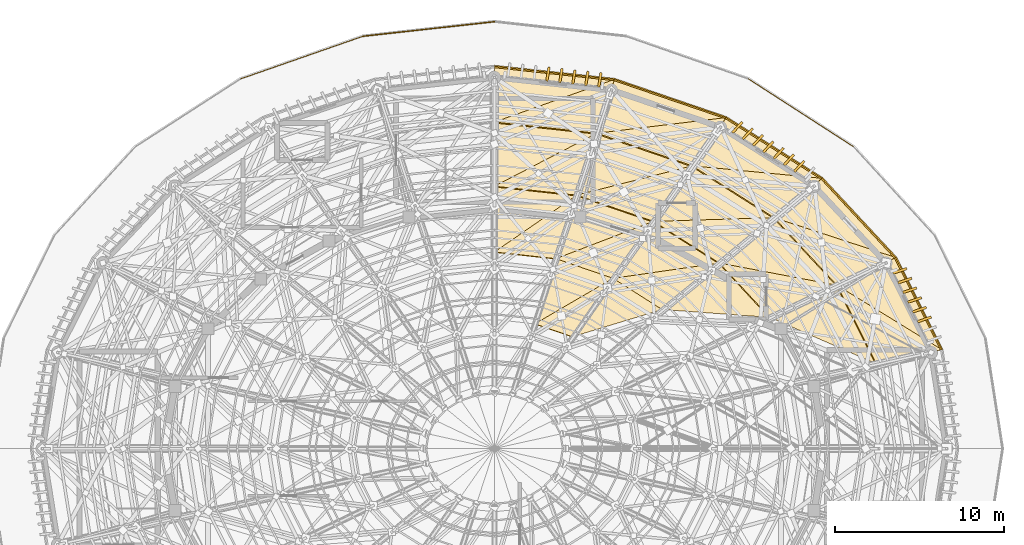
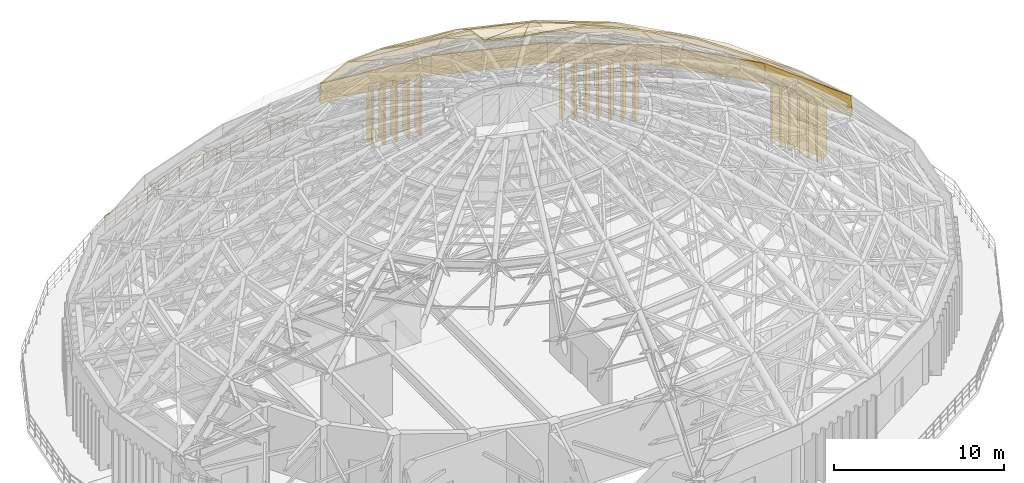
# One storey, part 49 of 50: 34 coverings, 18 shading devices, 3 railings, 3 elements without a shape of their own.
"""IFC4 building model written with IfcOpenShell, lengths in metres."""

from ifc_helpers import new_model, si_unit, direction, frame, origin, origin_2d, place, context, subcontext, project, spatial, polyline, rectangle, circle, outline, extrude, material, layer, layer_set, type_object, element, aggregate, save


model = new_model("IFC4")

# Units and contexts
model_context = context("Model", 3, precision=1e-05, world=origin(), true_north=direction((0.0, 1.0)))
body_context = subcontext(model_context, "Body", "Model", "MODEL_VIEW")
ifc_project = project(units=[si_unit("LENGTHUNIT", "METRE"), si_unit("AREAUNIT", "SQUARE_METRE"), si_unit("VOLUMEUNIT", "CUBIC_METRE"), si_unit("PLANEANGLEUNIT", "RADIAN"), si_unit("MASSUNIT", "GRAM", prefix="KILO")], contexts=[model_context])

# Site, building, storey
site_placement = place(None, origin())
site = spatial("IfcSite", under=ifc_project, at=site_placement, CompositionType="ELEMENT")
building_placement = place(site_placement, origin())
building = spatial("IfcBuilding", under=site, at=building_placement, Name="Cinderbank Siding Concert Hall", CompositionType="ELEMENT")
storey_placement = place(building_placement, frame((0.0, 0.0, 23.699951171875)))
storey = spatial("IfcBuildingStorey", under=building, at=storey_placement, Name="L06", CompositionType="ELEMENT", Elevation=23.699951171875)

# Railings
ifc_material_1 = material(Name="Structural steel AS/NZS 3679.1 Grade 350 (340 MPa)", Category="steel")
railing_type = type_object("IfcRailingType", Name="GD-01 Terrace & Perimeter Guardrail 1120mm", PredefinedType="GUARDRAIL", material=ifc_material_1)
railing_1_placement = place(storey_placement, frame((106.944091796875, 65.906494140625, 0.0)))
element("IfcRailing", 1, at=railing_1_placement, inside=storey, type_object=railing_type, Name="L06 Perimeter Guardrail #143", PredefinedType="GUARDRAIL", context=body_context, shape_type="SweptSolid", body=[
    extrude(circle(Radius=0.02392578125, at=origin_2d()), frame((0.0, 0.0, 1.09619140625), z_axis=(0.94433649483, 0.328981130965, 0.0), x_axis=(-0.328981130965, 0.94433649483, 0.0)), (0.0, 0.0, 1.0), 7.689697265625),
    extrude(circle(Radius=0.01611328125, at=origin_2d()), frame((0.0, 0.0, 0.36962890625), z_axis=(0.94433649483, 0.328981130965, 0.0), x_axis=(-0.328981130965, 0.94433649483, 0.0)), (0.0, 0.0, 1.0), 7.689697265625),
    extrude(circle(Radius=0.01611328125, at=origin_2d()), frame((0.0, 0.0, 0.7392578125), z_axis=(0.94433649483, 0.328981130965, 0.0), x_axis=(-0.328981130965, 0.94433649483, 0.0)), (0.0, 0.0, 1.0), 7.689697265625),
    extrude(circle(Radius=0.02099609375, at=origin_2d()), origin(), (0.0, 0.0, 1.0), 1.072021484375),
    extrude(circle(Radius=0.02099609375, at=origin_2d()), frame((0.90771484375, 0.316162109375, 0.0)), (0.0, 0.0, 1.0), 1.072021484375),
    extrude(circle(Radius=0.02099609375, at=origin_2d()), frame((1.8154296875, 0.63232421875, 0.0)), (0.0, 0.0, 1.0), 1.072021484375),
    extrude(circle(Radius=0.02099609375, at=origin_2d()), frame((2.72314453125, 0.94873046875, 0.0)), (0.0, 0.0, 1.0), 1.072021484375),
    extrude(circle(Radius=0.02099609375, at=origin_2d()), frame((3.630859375, 1.264892578125, 0.0)), (0.0, 0.0, 1.0), 1.072021484375),
    extrude(circle(Radius=0.02099609375, at=origin_2d()), frame((4.53857421875, 1.5810546875, 0.0)), (0.0, 0.0, 1.0), 1.072021484375),
    extrude(circle(Radius=0.02099609375, at=origin_2d()), frame((5.4462890625, 1.8974609375, 0.0)), (0.0, 0.0, 1.0), 1.072021484375),
    extrude(circle(Radius=0.02099609375, at=origin_2d()), frame((6.35400390625, 2.213623046875, 0.0)), (0.0, 0.0, 1.0), 1.072021484375),
    extrude(circle(Radius=0.02099609375, at=origin_2d()), frame((7.26171875, 2.52978515625, 0.0)), (0.0, 0.0, 1.0), 1.072021484375),
])
railing_2_placement = place(storey_placement, frame((114.205810546875, 68.436279296875, 0.0)))
element("IfcRailing", 2, at=railing_2_placement, inside=storey, type_object=railing_type, Name="L06 Perimeter Guardrail #144", PredefinedType="GUARDRAIL", context=body_context, shape_type="SweptSolid", body=[
    extrude(circle(Radius=0.02392578125, at=origin_2d()), frame((0.0, 0.0, 1.09619140625), z_axis=(0.993925427563, 0.110055642488, 0.0), x_axis=(-0.110055642488, 0.993925427563, 0.0)), (0.0, 0.0, 1.0), 7.841796875),
    extrude(circle(Radius=0.01611328125, at=origin_2d()), frame((0.0, 0.0, 0.36962890625), z_axis=(0.993925427563, 0.110055642488, 0.0), x_axis=(-0.110055642488, 0.993925427563, 0.0)), (0.0, 0.0, 1.0), 7.841796875),
    extrude(circle(Radius=0.01611328125, at=origin_2d()), frame((0.0, 0.0, 0.7392578125), z_axis=(0.993925427563, 0.110055642488, 0.0), x_axis=(-0.110055642488, 0.993925427563, 0.0)), (0.0, 0.0, 1.0), 7.841796875),
    extrude(circle(Radius=0.02099609375, at=origin_2d()), origin(), (0.0, 0.0, 1.0), 1.072021484375),
    extrude(circle(Radius=0.02099609375, at=origin_2d()), frame((0.974365234375, 0.10791015625, 0.0)), (0.0, 0.0, 1.0), 1.072021484375),
    extrude(circle(Radius=0.02099609375, at=origin_2d()), frame((1.948486328125, 0.2158203125, 0.0)), (0.0, 0.0, 1.0), 1.072021484375),
    extrude(circle(Radius=0.02099609375, at=origin_2d()), frame((2.9228515625, 0.32373046875, 0.0)), (0.0, 0.0, 1.0), 1.072021484375),
    extrude(circle(Radius=0.02099609375, at=origin_2d()), frame((3.89697265625, 0.431640625, 0.0)), (0.0, 0.0, 1.0), 1.072021484375),
    extrude(circle(Radius=0.02099609375, at=origin_2d()), frame((4.871337890625, 0.539306640625, 0.0)), (0.0, 0.0, 1.0), 1.072021484375),
    extrude(circle(Radius=0.02099609375, at=origin_2d()), frame((5.845703125, 0.647216796875, 0.0)), (0.0, 0.0, 1.0), 1.072021484375),
    extrude(circle(Radius=0.02099609375, at=origin_2d()), frame((6.81982421875, 0.755126953125, 0.0)), (0.0, 0.0, 1.0), 1.072021484375),
    extrude(circle(Radius=0.02099609375, at=origin_2d()), frame((7.794189453125, 0.863037109375, 0.0)), (0.0, 0.0, 1.0), 1.072021484375),
])
railing_3_placement = place(storey_placement, frame((137.055908203125, 65.906494140625, 0.0)))
element("IfcRailing", 3, at=railing_3_placement, inside=storey, type_object=railing_type, Name="L06 Perimeter Guardrail #147", PredefinedType="GUARDRAIL", context=body_context, shape_type="SweptSolid", body=[
    extrude(circle(Radius=0.02392578125, at=origin_2d()), frame((0.0, 0.0, 1.09619140625), z_axis=(0.840220235148, -0.54224529177, 0.0), x_axis=(0.54224529177, 0.840220235148, 0.0)), (0.0, 0.0, 1.0), 7.4189453125),
    extrude(circle(Radius=0.01611328125, at=origin_2d()), frame((0.0, 0.0, 0.36962890625), z_axis=(0.840220235148, -0.54224529177, 0.0), x_axis=(0.54224529177, 0.840220235148, 0.0)), (0.0, 0.0, 1.0), 7.4189453125),
    extrude(circle(Radius=0.01611328125, at=origin_2d()), frame((0.0, 0.0, 0.7392578125), z_axis=(0.840220235148, -0.54224529177, 0.0), x_axis=(0.54224529177, 0.840220235148, 0.0)), (0.0, 0.0, 1.0), 7.4189453125),
    extrude(circle(Radius=0.02099609375, at=origin_2d()), origin(), (0.0, 0.0, 1.0), 1.072021484375),
    extrude(circle(Radius=0.02099609375, at=origin_2d()), frame((0.779296875, -0.5029296875, 0.0)), (0.0, 0.0, 1.0), 1.072021484375),
    extrude(circle(Radius=0.02099609375, at=origin_2d()), frame((1.558349609375, -1.005859375, 0.0)), (0.0, 0.0, 1.0), 1.072021484375),
    extrude(circle(Radius=0.02099609375, at=origin_2d()), frame((2.337646484375, -1.508544921875, 0.0)), (0.0, 0.0, 1.0), 1.072021484375),
    extrude(circle(Radius=0.02099609375, at=origin_2d()), frame((3.11669921875, -2.011474609375, 0.0)), (0.0, 0.0, 1.0), 1.072021484375),
    extrude(circle(Radius=0.02099609375, at=origin_2d()), frame((3.89599609375, -2.514404296875, 0.0)), (0.0, 0.0, 1.0), 1.072021484375),
    extrude(circle(Radius=0.02099609375, at=origin_2d()), frame((4.67529296875, -3.01708984375, 0.0)), (0.0, 0.0, 1.0), 1.072021484375),
    extrude(circle(Radius=0.02099609375, at=origin_2d()), frame((5.454345703125, -3.52001953125, 0.0)), (0.0, 0.0, 1.0), 1.072021484375),
    extrude(circle(Radius=0.02099609375, at=origin_2d()), frame((6.233642578125, -4.02294921875, 0.0)), (0.0, 0.0, 1.0), 1.072021484375),
])

# Shading devices
ifc_material_2 = material(Name="Glazed architectural terracotta acoustic louvre unit", Category="masonry")
shading_device_type = type_object("IfcShadingDeviceType", Name="LV-02 Terracotta Louvre Blade 850x4050", PredefinedType="JALOUSIE", material=ifc_material_2)
for number, where, z_axis, x_axis, name in (
    (4, (147.486083984375, 51.6533203125, -0.27490234375), (0.0, 0.0, 1.0), (0.946765351164, 0.321924478466, 0.0), "L06 Terracotta Louvre Blade #204"),
    (5, (147.1953125, 52.2294921875, -0.27490234375), (0.0, 0.0, 1.0), (0.946765351164, 0.321924478466, 0.0), "L06 Terracotta Louvre Blade #205"),
    (6, (146.904541015625, 52.8056640625, -0.27490234375), (0.0, 0.0, 1.0), (0.946765351164, 0.321924478466, 0.0), "L06 Terracotta Louvre Blade #206"),
    (7, (146.61376953125, 53.3818359375, -0.27490234375), (0.0, 0.0, 1.0), (0.946765351164, 0.321924478466, 0.0), "L06 Terracotta Louvre Blade #207"),
    (8, (146.322998046875, 53.9580078125, -0.27490234375), (0.0, 0.0, 1.0), (0.946765351164, 0.321924478466, 0.0), "L06 Terracotta Louvre Blade #208"),
    (9, (146.0322265625, 54.5341796875, -0.27490234375), (0.0, 0.0, 1.0), (0.946765351164, 0.321924478466, 0.0), "L06 Terracotta Louvre Blade #209"),
    (10, (140.0654296875, 60.72900390625, -0.27490234375), (0.0, 0.0, 1.0), (0.682869257989, 0.730540605643, 0.0), "L06 Terracotta Louvre Blade #211"),
    (11, (139.4541015625, 61.114013671875, -0.27490234375), (0.0, 0.0, 1.0), (0.682869257989, 0.730540605643, 0.0), "L06 Terracotta Louvre Blade #212"),
    (12, (138.8427734375, 61.4990234375, -0.27490234375), (0.0, 0.0, 1.0), (0.682869257989, 0.730540605643, 0.0), "L06 Terracotta Louvre Blade #213"),
    (13, (138.2314453125, 61.88427734375, -0.27490234375), (0.0, 0.0, 1.0), (0.682869257989, 0.730540605643, 0.0), "L06 Terracotta Louvre Blade #214"),
    (14, (137.6201171875, 62.269287109375, -0.27490234375), (0.0, 0.0, 1.0), (0.682869257989, 0.730540605643, 0.0), "L06 Terracotta Louvre Blade #215"),
    (15, (137.0087890625, 62.654296875, -0.27490234375), (0.0, 0.0, 1.0), (0.682869257989, 0.730540605643, 0.0), "L06 Terracotta Louvre Blade #216"),
    (16, (136.397705078125, 63.039306640625, -0.27490234375), (0.0, 0.0, 1.0), (0.682869257989, 0.730540605643, 0.0), "L06 Terracotta Louvre Blade #217"),
    (17, (128.24755859375, 65.857177734375, -0.27490234375), (0.0, 0.0, 1.0), (0.158354123126, 0.987382383724, 0.0), "L06 Terracotta Louvre Blade #218"),
    (18, (127.477294921875, 65.9404296875, -0.27490234375), (0.0, 0.0, 1.0), (0.158354123126, 0.987382383724, 0.0), "L06 Terracotta Louvre Blade #219"),
    (19, (126.707275390625, 66.023681640625, -0.27490234375), (0.0, 0.0, 1.0), (0.158354123126, 0.987382383724, 0.0), "L06 Terracotta Louvre Blade #220"),
    (20, (125.937255859375, 66.10693359375, -0.27490234375), (0.0, 0.0, 1.0), (0.158354123126, 0.987382383724, 0.0), "L06 Terracotta Louvre Blade #221"),
    (21, (125.1669921875, 66.190185546875, -0.27490234375), (0.0, 0.0, 1.0), (0.158354123126, 0.987382383724, 0.0), "L06 Terracotta Louvre Blade #222"),
):
    element("IfcShadingDevice", number, at=place(storey_placement, frame(where, z_axis=z_axis, x_axis=x_axis)), inside=storey, type_object=shading_device_type, Name=name, PredefinedType="JALOUSIE", context=body_context, shape_type="SweptSolid", body=[
        extrude(rectangle(XDim=0.85009765625, YDim=0.139892578125, at=origin_2d()), origin(), (0.0, 0.0, 1.0), 4.090087890625),
    ])

# Roof, coverings
ifc_material_3 = material(Name="Patinated sheet copper roofing", Category="metal")
roof_type = type_object("IfcRoofType", Name="RF-DM1 Schwedler Dome Sector Roof", PredefinedType="DOME_ROOF", material=ifc_material_3)
roof_1_placement = place(storey_placement, origin())
roof_1 = element("IfcRoof", 22, at=roof_1_placement, inside=storey, type_object=roof_type, Name="Schwedler Dome Roof Bay 01", PredefinedType="DOME_ROOF")
ifc_layer = layer(ifc_material_3, 0.080078125)
ifc_layer_set = layer_set([ifc_layer], Name="Patinated sheet copper roofing")
covering_type = type_object("IfcCoveringType", Name="RC-01 Standing Seam Copper Roofing", PredefinedType="ROOFING", material=ifc_layer_set)
covering_1_placement = place(storey_placement, frame((148.582275390625, 49.88037109375, 3.449951171875), z_axis=(0.892879975107, 0.447973871764, 0.045659175078), x_axis=(-0.448441558349, 0.893812155179, -9.4826e-08)))
covering_1 = element("IfcCovering", 23, at=covering_1_placement, type_object=covering_type, Name="Dome Springing Copper Fascia B01-1", PredefinedType="ROOFING", context=body_context, shape_type="SweptSolid", body=[
    extrude(outline(polyline([(0.0, 0.0), (6.130740774306156, -1.3877787807814457e-17), (6.126358301169801, 1.5015666007519237), (0.014178620500370921, 1.501565438594786), (0.0, 0.0)])), origin(), (0.0, 0.0, -1.0), 0.080078125),
])
covering_2_placement = place(storey_placement, frame((148.5146484375, 49.8623046875, 4.949951171875), z_axis=(0.611585077076, 0.307008875339, 0.729183957559), x_axis=(-0.448634985963, 0.893715082881, 0.0)))
covering_2 = element("IfcCovering", 24, at=covering_2_placement, type_object=covering_type, Name="Dome Copper Facet B01-1-0-0", PredefinedType="ROOFING", context=body_context, shape_type="SweptSolid", body=[
    extrude(outline(polyline([(0.0, 0.0), (6.112290806106234, 2.220446049250313e-16), (6.191869733283395, 5.260856904197429), (0.0, 0.0)])), origin(), (0.0, 0.0, -1.0), 0.080078125),
])
covering_3_placement = place(storey_placement, frame((148.5146484375, 49.8623046875, 4.949951171875), z_axis=(0.61157580567, 0.306971639224, 0.729207409885), x_axis=(-0.763850768259, 0.469259960186, 0.44308813299)))
covering_3 = element("IfcCovering", 25, at=covering_3_placement, type_object=covering_type, Name="Dome Copper Facet B01-1-0-1", PredefinedType="ROOFING", context=body_context, shape_type="SweptSolid", body=[
    extrude(outline(polyline([(0.0, 0.0), (8.125014840626001, 0.0), (4.14563946944379, 3.3812469948426056), (0.0, 0.0)])), origin(), (0.0, 0.0, -1.0), 0.080078125),
])
covering_4_placement = place(storey_placement, frame((144.65087890625, 49.008056640625, 8.550048828125), z_axis=(0.52467153982, 0.263351298628, 0.809546705765), x_axis=(-0.448596954918, 0.893734173028, 0.0)))
covering_4 = element("IfcCovering", 26, at=covering_4_placement, type_object=covering_type, Name="Dome Copper Facet B01-1-1-0", PredefinedType="ROOFING", context=body_context, shape_type="SweptSolid", body=[
    extrude(outline(polyline([(0.0, 0.0), (5.221901912608443, 0.0), (5.310725995790247, 5.450849716967454), (0.0, 0.0)])), origin(), (0.0, 0.0, -1.0), 0.080078125),
])
aggregate(roof_1, [covering_1, covering_2, covering_3, covering_4])

roof_2_placement = place(storey_placement, origin())
roof_2 = element("IfcRoof", 27, at=roof_2_placement, inside=storey, type_object=roof_type, Name="Schwedler Dome Roof Bay 02", PredefinedType="DOME_ROOF")
covering_5_placement = place(storey_placement, frame((145.8330078125, 55.360107421875, 3.449951171875), z_axis=(0.731720505767, 0.680086197428, 0.045473789239), x_axis=(-0.68079045371, 0.732478230487, 1.4062e-08)))
covering_5 = element("IfcCovering", 28, at=covering_5_placement, type_object=covering_type, Name="Dome Springing Copper Fascia B02-0", PredefinedType="ROOFING", context=body_context, shape_type="SweptSolid", body=[
    extrude(outline(polyline([(0.0, 0.0), (6.423840901729181, 0.0), (6.420307234870011, 1.5015532181929938), (0.015468567804986698, 1.5015533987815566), (0.0, 0.0)])), origin(), (0.0, 0.0, -1.0), 0.080078125),
])
covering_6_placement = place(storey_placement, frame((145.7724609375, 55.324951171875, 4.949951171875), z_axis=(0.513510049053, 0.477512232968, 0.712944245286), x_axis=(-0.680972790653, 0.732308717953, 0.0)))
covering_6 = element("IfcCovering", 29, at=covering_6_placement, type_object=covering_type, Name="Dome Copper Facet B02-0-0-0", PredefinedType="ROOFING", context=body_context, shape_type="SweptSolid", body=[
    extrude(outline(polyline([(0.0, 0.0), (6.405989706752592, 0.0), (6.6231926006766235, 5.134043440855763), (0.0, 0.0)])), origin(), (0.0, 0.0, -1.0), 0.080078125),
])
covering_7_placement = place(storey_placement, frame((145.7724609375, 55.324951171875, 4.949951171875), z_axis=(0.513510097467, 0.477503388836, 0.712950133915), x_axis=(-0.858071467448, 0.281343026556, 0.429603838624)))
covering_7 = element("IfcCovering", 30, at=covering_7_placement, type_object=covering_type, Name="Dome Copper Facet B02-0-0-1", PredefinedType="ROOFING", context=body_context, shape_type="SweptSolid", body=[
    extrude(outline(polyline([(0.0, 0.0), (8.380040708627355, -4.440892098500626e-16), (4.054882344360714, 3.3527417654039806), (0.0, 0.0)])), origin(), (0.0, 0.0, -1.0), 0.080078125),
])
covering_8_placement = place(storey_placement, frame((142.308349609375, 53.675048828125, 8.550048828125), z_axis=(0.4430253953, 0.411960988965, 0.796251620212), x_axis=(-0.680965992364, 0.732315039613, 0.0)))
covering_8 = element("IfcCovering", 31, at=covering_8_placement, type_object=covering_type, Name="Dome Copper Facet B02-0-1-0", PredefinedType="ROOFING", context=body_context, shape_type="SweptSolid", body=[
    extrude(outline(polyline([(0.0, 0.0), (5.472464912767361, 0.0), (5.719694060785756, 5.289476391317351), (0.0, 0.0)])), origin(), (0.0, 0.0, -1.0), 0.080078125),
])
covering_9_placement = place(storey_placement, frame((142.308349609375, 53.675048828125, 8.550048828125), z_axis=(0.443021662991, 0.412058505526, 0.796203236708), x_axis=(-0.895854920114, 0.169506393217, 0.410745109243)))
covering_9 = element("IfcCovering", 32, at=covering_9_placement, type_object=covering_type, Name="Dome Copper Facet B02-0-1-1", PredefinedType="ROOFING", context=body_context, shape_type="SweptSolid", body=[
    extrude(outline(polyline([(0.0, 0.0), (7.790600788340491, 2.220446049250313e-16), (4.561043120100449, 2.98605726859041), (0.0, 0.0)])), origin(), (0.0, 0.0, -1.0), 0.080078125),
])
covering_10_placement = place(storey_placement, frame((138.32470703125, 51.77490234375, 11.75), z_axis=(0.385275074516, 0.358347874796, 0.850382218527), x_axis=(-0.681055500194, 0.732231797763, 0.0)))
covering_10 = element("IfcCovering", 33, at=covering_10_placement, type_object=covering_type, Name="Dome Copper Facet B02-0-2-0", PredefinedType="ROOFING", context=body_context, shape_type="SweptSolid", body=[
    extrude(outline(polyline([(0.0, 0.0), (4.398474820183659, 2.220446049250313e-16), (4.690814720491108, 5.131372962397389), (0.0, 0.0)])), origin(), (0.0, 0.0, -1.0), 0.080078125),
])
covering_11_placement = place(storey_placement, frame((141.459716796875, 60.0654296875, 3.449951171875), z_axis=(0.534573158266, 0.843899020914, 0.045453063279), x_axis=(-0.844772102528, 0.535126241919, -4.5668e-07)))
covering_11 = element("IfcCovering", 34, at=covering_11_placement, type_object=covering_type, Name="Dome Springing Copper Fascia B02-1", PredefinedType="ROOFING", context=body_context, shape_type="SweptSolid", body=[
    extrude(outline(polyline([(0.0, 0.0), (6.7470780022843915, 0.0), (6.742238085789674, 1.501554973002117), (0.01547617922386426, 1.501548813396729), (0.0, 0.0)])), origin(), (0.0, 0.0, -1.0), 0.080078125),
])
covering_12_placement = place(storey_placement, frame((141.41015625, 60.01611328125, 4.949951171875), z_axis=(0.384371855072, 0.607100523449, 0.695476262325), x_axis=(-0.844897790978, 0.534927773443, 0.0)))
covering_12 = element("IfcCovering", 35, at=covering_12_placement, type_object=covering_type, Name="Dome Copper Facet B02-1-0-0", PredefinedType="ROOFING", context=body_context, shape_type="SweptSolid", body=[
    extrude(outline(polyline([(0.0, 0.0), (6.728693878071593, 0.0), (6.889713943445266, 5.010232143751495), (0.0, 0.0)])), origin(), (0.0, 0.0, -1.0), 0.080078125),
])
covering_13_placement = place(storey_placement, frame((141.41015625, 60.01611328125, 4.949951171875), z_axis=(0.384373578996, 0.607093577369, 0.695481372926), x_axis=(-0.902125321331, 0.087037124369, 0.42260435823)))
covering_13 = element("IfcCovering", 36, at=covering_13_placement, type_object=covering_type, Name="Dome Copper Facet B02-1-0-1", PredefinedType="ROOFING", context=body_context, shape_type="SweptSolid", body=[
    extrude(outline(polyline([(0.0, 0.0), (8.51883703076804, 0.0), (3.8698595896869987, 3.3807936798672924), (0.0, 0.0)])), origin(), (0.0, 0.0, -1.0), 0.080078125),
])
covering_14_placement = place(storey_placement, frame((138.581787109375, 57.6826171875, 8.550048828125), z_axis=(0.333621593329, 0.526934049709, 0.781688646279), x_axis=(-0.844893940464, 0.534933855132, 0.0)))
covering_14 = element("IfcCovering", 37, at=covering_14_placement, type_object=covering_type, Name="Dome Copper Facet B02-1-1-0", PredefinedType="ROOFING", context=body_context, shape_type="SweptSolid", body=[
    extrude(outline(polyline([(0.0, 0.0), (5.748282974376876, 0.0), (5.93123521553537, 5.130849593778218), (0.0, 0.0)])), origin(), (0.0, 0.0, -1.0), 0.080078125),
])
covering_15_placement = place(storey_placement, frame((138.581787109375, 57.6826171875, 8.550048828125), z_axis=(0.333596442006, 0.527024373061, 0.781638486821), x_axis=(-0.912555587095, -0.027519244695, 0.408025724229)))
covering_15 = element("IfcCovering", 38, at=covering_15_placement, type_object=covering_type, Name="Dome Copper Facet B02-1-1-1", PredefinedType="ROOFING", context=body_context, shape_type="SweptSolid", body=[
    extrude(outline(polyline([(0.0, 0.0), (7.842523110324954, 2.220446049250313e-16), (4.347863296253905, 3.022543217726038), (0.0, 0.0)])), origin(), (0.0, 0.0, -1.0), 0.080078125),
])
covering_16_placement = place(storey_placement, frame((135.3291015625, 54.99560546875, 11.75), z_axis=(0.292276798895, 0.46174652155, 0.837475028084), x_axis=(-0.844953598456, 0.534839617508, 0.0)))
covering_16 = element("IfcCovering", 39, at=covering_16_placement, type_object=covering_type, Name="Dome Copper Facet B02-1-2-0", PredefinedType="ROOFING", context=body_context, shape_type="SweptSolid", body=[
    extrude(outline(polyline([(0.0, 0.0), (4.620434472980303, 0.0), (4.8419268358213055, 4.940661925667272), (0.0, 0.0)])), origin(), (0.0, 0.0, -1.0), 0.080078125),
])
covering_17_placement = place(storey_placement, frame((135.3291015625, 54.99560546875, 11.75), z_axis=(0.292786271009, 0.460203028374, 0.838146390664), x_axis=(-0.911316031806, -0.131040059875, 0.390296801013)))
covering_17 = element("IfcCovering", 40, at=covering_17_placement, type_object=covering_type, Name="Dome Copper Facet B02-1-2-1", PredefinedType="ROOFING", context=body_context, shape_type="SweptSolid", body=[
    extrude(outline(polyline([(0.0, 0.0), (6.917687167484864, 2.220446049250313e-16), (4.508434479724525, 2.4678876875915137), (0.0, 0.0)])), origin(), (0.0, 0.0, -1.0), 0.080078125),
])
covering_18_placement = place(storey_placement, frame((131.934814453125, 52.23779296875, 14.449951171875), z_axis=(0.230291065509, 0.361972729763, 0.903294950752), x_axis=(-0.843719778593, 0.536783881288, 0.0)))
covering_18 = element("IfcCovering", 41, at=covering_18_placement, type_object=covering_type, Name="Dome Copper Facet B02-1-3-0", PredefinedType="ROOFING", context=body_context, shape_type="SweptSolid", body=[
    extrude(outline(polyline([(0.0, 0.0), (3.4489082550926464, 2.220446049250313e-16), (3.614274205281867, 4.661786423217897), (0.0, 0.0)])), origin(), (0.0, 0.0, -1.0), 0.080078125),
])
aggregate(roof_2, [covering_5, covering_6, covering_7, covering_8, covering_9, covering_10, covering_11, covering_12, covering_13, covering_14, covering_15, covering_16, covering_17, covering_18])

roof_3_placement = place(storey_placement, origin())
roof_3 = element("IfcRoof", 42, at=roof_3_placement, inside=storey, type_object=roof_type, Name="Schwedler Dome Roof Bay 03", PredefinedType="DOME_ROOF")
covering_19_placement = place(storey_placement, frame((135.760009765625, 63.676025390625, 3.449951171875), z_axis=(0.323236704439, 0.945214042911, 0.045699518465), x_axis=(-0.946202602497, 0.323574775017, -2.25716e-07)))
covering_19 = element("IfcCovering", 43, at=covering_19_placement, type_object=covering_type, Name="Dome Springing Copper Fascia B03-0", PredefinedType="ROOFING", context=body_context, shape_type="SweptSolid", body=[
    extrude(outline(polyline([(0.0, 0.0), (7.014584627642678, 2.7755575615628914e-17), (7.007103313348043, 1.5015703754439902), (0.013442148718734925, 1.501567210247598), (0.0, 0.0)])), origin(), (0.0, 0.0, -1.0), 0.080078125),
])
covering_20_placement = place(storey_placement, frame((135.72509765625, 63.615478515625, 4.949951171875), z_axis=(0.236721826766, 0.692643774087, 0.681327659024), x_axis=(-0.94626237199, 0.323399943344, 0.0)))
covering_20 = element("IfcCovering", 44, at=covering_20_placement, type_object=covering_type, Name="Dome Copper Facet B03-0-0-0", PredefinedType="ROOFING", context=body_context, shape_type="SweptSolid", body=[
    extrude(outline(polyline([(0.0, 0.0), (6.996585370739922, 2.220446049250313e-16), (6.945277459836086, 4.918310212332026), (0.0, 0.0)])), origin(), (0.0, 0.0, -1.0), 0.080078125),
])
covering_21_placement = place(storey_placement, frame((135.72509765625, 63.615478515625, 4.949951171875), z_axis=(0.236733644712, 0.692620815029, 0.681346892596), x_axis=(-0.899578766409, -0.108667783888, 0.42302406051)))
covering_21 = element("IfcCovering", 45, at=covering_21_placement, type_object=covering_type, Name="Dome Copper Facet B03-0-0-1", PredefinedType="ROOFING", context=body_context, shape_type="SweptSolid", body=[
    extrude(outline(polyline([(0.0, 0.0), (8.510385087576042, 0.0), (3.632648224828565, 3.4543046290655255), (0.0, 0.0)])), origin(), (0.0, 0.0, -1.0), 0.080078125),
])
covering_22_placement = place(storey_placement, frame((133.72509765625, 60.757568359375, 8.550048828125), z_axis=(0.206462659796, 0.604055819251, 0.769733549574), x_axis=(-0.946254150241, 0.323423999034, 0.0)))
covering_22 = element("IfcCovering", 46, at=covering_22_placement, type_object=covering_type, Name="Dome Copper Facet B03-0-1-0", PredefinedType="ROOFING", context=body_context, shape_type="SweptSolid", body=[
    extrude(outline(polyline([(0.0, 0.0), (5.977000700400588, 0.0), (5.916503060082657, 5.012727268668115), (0.0, 0.0)])), origin(), (0.0, 0.0, -1.0), 0.080078125),
])
covering_23_placement = place(storey_placement, frame((133.72509765625, 60.757568359375, 8.550048828125), z_axis=(0.206404813414, 0.604160709745, 0.769666739439), x_axis=(-0.882897118468, -0.224069421679, 0.412656724736)))
covering_23 = element("IfcCovering", 47, at=covering_23_placement, type_object=covering_type, Name="Dome Copper Facet B03-0-1-1", PredefinedType="ROOFING", context=body_context, shape_type="SweptSolid", body=[
    extrude(outline(polyline([(0.0, 0.0), (7.754511147068933, 0.0), (4.088549115967695, 3.105294704667947), (0.0, 0.0)])), origin(), (0.0, 0.0, -1.0), 0.080078125),
])
covering_24_placement = place(storey_placement, frame((131.425048828125, 57.466796875, 11.75), z_axis=(0.181920125762, 0.53249238949, 0.826654052781), x_axis=(-0.946299055264, 0.323292588851, 0.0)))
covering_24 = element("IfcCovering", 48, at=covering_24_placement, type_object=covering_type, Name="Dome Copper Facet B03-0-2-0", PredefinedType="ROOFING", context=body_context, shape_type="SweptSolid", body=[
    extrude(outline(polyline([(0.0, 0.0), (4.804386830420163, 2.220446049250313e-16), (4.7619954601093974, 4.798117857897304), (0.0, 0.0)])), origin(), (0.0, 0.0, -1.0), 0.080078125),
])
covering_25_placement = place(storey_placement, frame((131.425048828125, 57.466796875, 11.75), z_axis=(0.182546678307, 0.531480039485, 0.827167261119), x_axis=(-0.856289194369, -0.327491793106, 0.399396971764)))
covering_25 = element("IfcCovering", 49, at=covering_25_placement, type_object=covering_type, Name="Dome Copper Facet B03-0-2-1", PredefinedType="ROOFING", context=body_context, shape_type="SweptSolid", body=[
    extrude(outline(polyline([(0.0, 0.0), (6.760069211211933, 4.440892098500626e-16), (4.239736117726381, 2.546337916024023), (0.0, 0.0)])), origin(), (0.0, 0.0, -1.0), 0.080078125),
])
covering_26_placement = place(storey_placement, frame((129.02490234375, 54.089111328125, 14.449951171875), z_axis=(0.143616979664, 0.418137205948, 0.896958995804), x_axis=(-0.945768401468, 0.324841701117, 0.0)))
covering_26 = element("IfcCovering", 50, at=covering_26_placement, type_object=covering_type, Name="Dome Copper Facet B03-0-3-0", PredefinedType="ROOFING", context=body_context, shape_type="SweptSolid", body=[
    extrude(outline(polyline([(0.0, 0.0), (3.582724617480391, 0.0), (3.502743043969563, 4.523722778147322), (0.0, 0.0)])), origin(), (0.0, 0.0, -1.0), 0.080078125),
])
covering_27_placement = place(storey_placement, frame((129.02490234375, 54.089111328125, 14.449951171875), z_axis=(0.143379435432, 0.418460964861, 0.896846005947), x_axis=(-0.809406807677, -0.471869489629, 0.34957088615)))
covering_27 = element("IfcCovering", 51, at=covering_27_placement, type_object=covering_type, Name="Dome Copper Facet B03-0-3-1", PredefinedType="ROOFING", context=body_context, shape_type="SweptSolid", body=[
    extrude(outline(polyline([(0.0, 0.0), (5.721300254802756, 2.220446049250313e-16), (4.276247511511605, 1.86368070588057), (0.0, 0.0)])), origin(), (0.0, 0.0, -1.0), 0.080078125),
])
covering_28_placement = place(storey_placement, frame((129.122802734375, 65.94580078125, 3.449951171875), z_axis=(0.107949373683, 0.99308991949, 0.046036339231), x_axis=(-0.994143947628, 0.108063922722, 5.25267e-07)))
covering_28 = element("IfcCovering", 52, at=covering_28_placement, type_object=covering_type, Name="Dome Springing Copper Fascia B03-1", PredefinedType="ROOFING", context=body_context, shape_type="SweptSolid", body=[
    extrude(outline(polyline([(0.0, 0.0), (7.164751067139255, 6.938893903907228e-18), (7.153808423114968, 1.5015882777557032), (0.010896073417949797, 1.5015958010786592), (0.0, 0.0)])), origin(), (0.0, 0.0, -1.0), 0.080078125),
])
covering_29_placement = place(storey_placement, frame((129.1044921875, 65.878173828125, 4.949951171875), z_axis=(0.079821330609, 0.734830977769, 0.673536924965), x_axis=(-0.994151960325, 0.107990183732, 0.0)))
covering_29 = element("IfcCovering", 53, at=covering_29_placement, type_object=covering_type, Name="Dome Copper Facet B03-1-0-0", PredefinedType="ROOFING", context=body_context, shape_type="SweptSolid", body=[
    extrude(outline(polyline([(0.0, 0.0), (7.146283939508513, 0.0), (6.789937425027319, 4.8705678592748125), (0.0, 0.0)])), origin(), (0.0, 0.0, -1.0), 0.080078125),
])
covering_30_placement = place(storey_placement, frame((129.1044921875, 65.878173828125, 4.949951171875), z_axis=(0.079836331589, 0.734813477717, 0.673554239185), x_axis=(-0.850208513515, -0.302539833589, 0.430830747089)))
covering_30 = element("IfcCovering", 54, at=covering_30_placement, type_object=covering_type, Name="Dome Copper Facet B03-1-0-1", PredefinedType="ROOFING", context=body_context, shape_type="SweptSolid", body=[
    extrude(outline(polyline([(0.0, 0.0), (8.356176249193613, -4.440892098500626e-16), (3.395477138971689, 3.5585309953928235), (0.0, 0.0)])), origin(), (0.0, 0.0, -1.0), 0.080078125),
])
covering_31_placement = place(storey_placement, frame((128.0693359375, 62.690673828125, 8.550048828125), z_axis=(0.069812437802, 0.642553574143, 0.763053817161), x_axis=(-0.994149505088, 0.108012784121, 0.0)))
covering_31 = element("IfcCovering", 55, at=covering_31_placement, type_object=covering_type, Name="Dome Copper Facet B03-1-1-0", PredefinedType="ROOFING", context=body_context, shape_type="SweptSolid", body=[
    extrude(outline(polyline([(0.0, 0.0), (6.105053522069077, 0.0), (5.694599668348422, 4.950917716190023), (0.0, 0.0)])), origin(), (0.0, 0.0, -1.0), 0.080078125),
])
covering_32_placement = place(storey_placement, frame((128.0693359375, 62.690673828125, 8.550048828125), z_axis=(0.069808941824, 0.642557385756, 0.763050927299), x_axis=(-0.804326260221, -0.416204867718, 0.42406694661)))
covering_32 = element("IfcCovering", 56, at=covering_32_placement, type_object=covering_type, Name="Dome Copper Facet B03-1-1-1", PredefinedType="ROOFING", context=body_context, shape_type="SweptSolid", body=[
    extrude(outline(polyline([(0.0, 0.0), (7.5458632120678, 0.0), (3.84242793614617, 3.219758094959372), (0.0, 0.0)])), origin(), (0.0, 0.0, -1.0), 0.080078125),
])
covering_33_placement = place(storey_placement, frame((126.878662109375, 59.02001953125, 11.75), z_axis=(0.061720087087, 0.568103408686, 0.820639474976), x_axis=(-0.994150154684, 0.108006805075, 0.0)))
covering_33 = element("IfcCovering", 57, at=covering_33_placement, type_object=covering_type, Name="Dome Copper Facet B03-1-2-0", PredefinedType="ROOFING", context=body_context, shape_type="SweptSolid", body=[
    extrude(outline(polyline([(0.0, 0.0), (4.907369461635952, 5.551115123125783e-17), (4.486127100533258, 4.724768121644118), (0.0, 0.0)])), origin(), (0.0, 0.0, -1.0), 0.080078125),
])
covering_34_placement = place(storey_placement, frame((126.878662109375, 59.02001953125, 11.75), z_axis=(0.061988137589, 0.567843363706, 0.820799235558), x_axis=(-0.748804049293, -0.517264229417, 0.414403441983)))
covering_34 = element("IfcCovering", 58, at=covering_34_placement, type_object=covering_type, Name="Dome Copper Facet B03-1-2-1", PredefinedType="ROOFING", context=body_context, shape_type="SweptSolid", body=[
    extrude(outline(polyline([(0.0, 0.0), (6.515272071482772, -4.440892098500626e-16), (3.9976049139647776, 2.6538438082137574), (0.0, 0.0)])), origin(), (0.0, 0.0, -1.0), 0.080078125),
])
aggregate(roof_3, [covering_19, covering_20, covering_21, covering_22, covering_23, covering_24, covering_25, covering_26, covering_27, covering_28, covering_29, covering_30, covering_31, covering_32, covering_33, covering_34])

save(model, "model.ifc")
